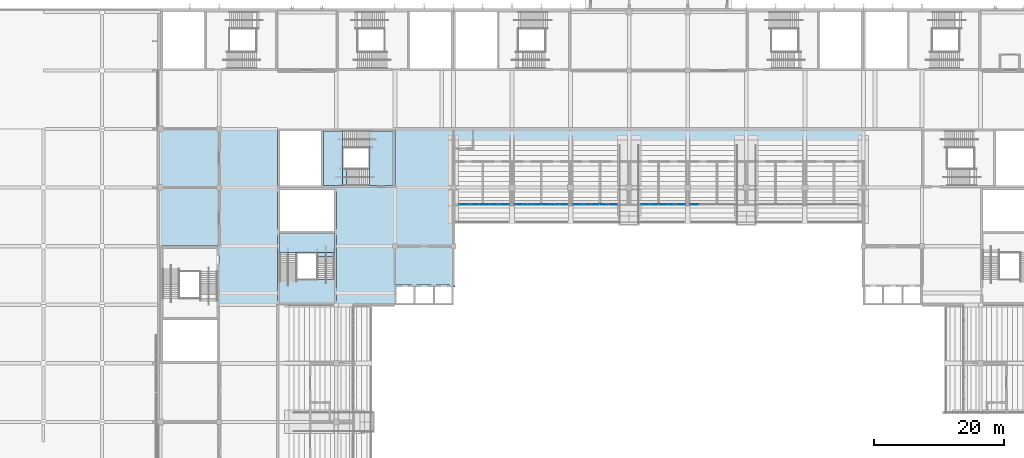
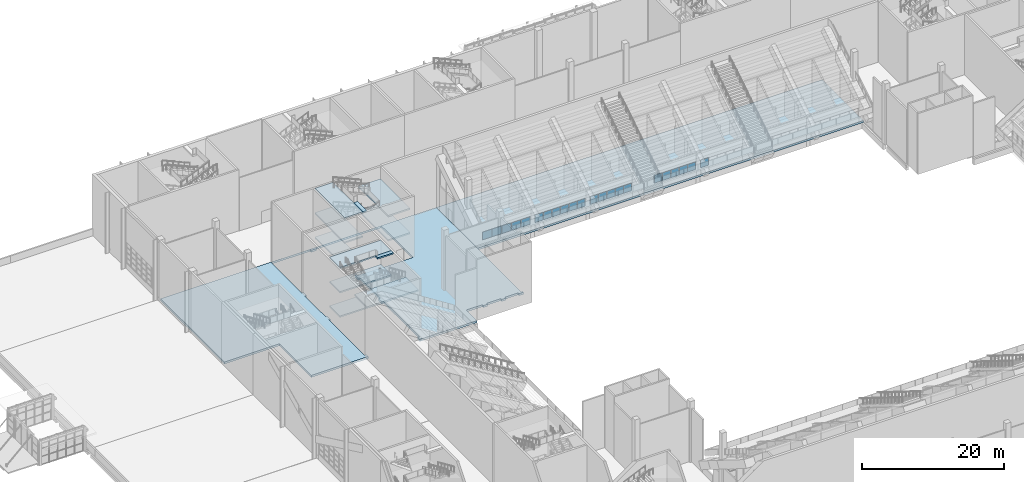
# One storey, part 71 of 182: 22 plates, 13 slabs, 7 elements without a shape of their own.
"""IFC4 building model written with IfcOpenShell, lengths in metres."""

from ifc_helpers import new_model, si_unit, direction, frame, origin, origin_2d, place, context, subcontext, project, spatial, polyline, rectangle, outline, extrude, material, layer, layer_set, type_object, element, aggregate, save


model = new_model("IFC4")

# Units and contexts
model_context = context("Model", 3, precision=1e-05, world=origin(), true_north=direction((0.0, 1.0)))
body_context = subcontext(model_context, "Body", "Model", "MODEL_VIEW")
ifc_project = project(units=[si_unit("LENGTHUNIT", "METRE"), si_unit("AREAUNIT", "SQUARE_METRE"), si_unit("VOLUMEUNIT", "CUBIC_METRE"), si_unit("PLANEANGLEUNIT", "RADIAN"), si_unit("MASSUNIT", "GRAM", prefix="KILO")], contexts=[model_context])

# Site, building, storey
site_placement = place(None, origin())
site = spatial("IfcSite", under=ifc_project, at=site_placement, CompositionType="ELEMENT")
building_placement = place(site_placement, origin())
building = spatial("IfcBuilding", under=site, at=building_placement, Name="Silverbay Arena", CompositionType="ELEMENT")
storey_placement = place(building_placement, frame((0.0, 0.0, 11.5)))
storey = spatial("IfcBuildingStorey", under=building, at=storey_placement, Name="L02", CompositionType="ELEMENT", Elevation=11.5)

# Curtain wall, plates
ifc_material_1 = material(Name="Fire-resisting glass", Category="glass")
curtain_wall_type_1 = type_object("IfcCurtainWallType", Name="Fire-resisting glazed screen EI 120 7850 x 1437", PredefinedType="NOTDEFINED", material=ifc_material_1)
curtain_wall_1_placement = place(storey_placement, origin())
curtain_wall_1 = element("IfcCurtainWall", 1, at=curtain_wall_1_placement, inside=storey, type_object=curtain_wall_type_1, Name="North suite front 1", PredefinedType="NOTDEFINED")
ifc_material_2 = material(Name="Laminated glass", Category="glass")
ifc_layer_1 = layer(ifc_material_2, 0.02392578125)
ifc_layer_set_1 = layer_set([ifc_layer_1], Name="Laminated glass")
plate_type = type_object("IfcPlateType", Name="Glass panel 24", PredefinedType="CURTAIN_PANEL", material=ifc_layer_set_1)
plate_1_placement = place(storey_placement, frame((100.60009765625, 114.39990234375, 1.150146484375), z_axis=(0.0, 0.0, 1.0), x_axis=(1.0, 0.0, 0.0)))
plate_1 = element("IfcPlate", 2, at=plate_1_placement, type_object=plate_type, Name="CW17 panel 1.1", PredefinedType="CURTAIN_PANEL", context=body_context, shape_type="SweptSolid", body=[
    extrude(rectangle(XDim=1.47998046875, YDim=0.02392578125, at=origin_2d()), origin(), (0.0, 0.0, 1.0), 1.3369140625),
])
plate_2_placement = place(storey_placement, frame((102.155029296875, 114.39990234375, 1.150146484375), z_axis=(0.0, 0.0, 1.0), x_axis=(1.0, 0.0, 0.0)))
plate_2 = element("IfcPlate", 3, at=plate_2_placement, type_object=plate_type, Name="CW17 panel 2.1", PredefinedType="CURTAIN_PANEL", context=body_context, shape_type="SweptSolid", body=[
    extrude(rectangle(XDim=1.510009765625, YDim=0.02392578125, at=origin_2d()), origin(), (0.0, 0.0, 1.0), 1.3369140625),
])
plate_3_placement = place(storey_placement, frame((103.72509765625, 114.39990234375, 1.150146484375), z_axis=(0.0, 0.0, 1.0), x_axis=(1.0, 0.0, 0.0)))
plate_3 = element("IfcPlate", 4, at=plate_3_placement, type_object=plate_type, Name="CW17 panel 3.1", PredefinedType="CURTAIN_PANEL", context=body_context, shape_type="SweptSolid", body=[
    extrude(rectangle(XDim=1.510009765625, YDim=0.02392578125, at=origin_2d()), origin(), (0.0, 0.0, 1.0), 1.3369140625),
])
plate_4_placement = place(storey_placement, frame((105.294921875, 114.39990234375, 1.150146484375), z_axis=(0.0, 0.0, 1.0), x_axis=(1.0, 0.0, 0.0)))
plate_4 = element("IfcPlate", 5, at=plate_4_placement, type_object=plate_type, Name="CW17 panel 4.1", PredefinedType="CURTAIN_PANEL", context=body_context, shape_type="SweptSolid", body=[
    extrude(rectangle(XDim=1.510009765625, YDim=0.02392578125, at=origin_2d()), origin(), (0.0, 0.0, 1.0), 1.3369140625),
])
plate_5_placement = place(storey_placement, frame((106.85009765625, 114.39990234375, 1.150146484375), z_axis=(0.0, 0.0, 1.0), x_axis=(1.0, 0.0, 0.0)))
plate_5 = element("IfcPlate", 6, at=plate_5_placement, type_object=plate_type, Name="CW17 panel 5.1", PredefinedType="CURTAIN_PANEL", context=body_context, shape_type="SweptSolid", body=[
    extrude(rectangle(XDim=1.47998046875, YDim=0.02392578125, at=origin_2d()), origin(), (0.0, 0.0, 1.0), 1.3369140625),
])
aggregate(curtain_wall_1, [plate_1, plate_2, plate_3, plate_4, plate_5])

ifc_material_3 = material(Name="Fire-resisting glass", Category="glass")
curtain_wall_type_2 = type_object("IfcCurtainWallType", Name="Fire-resisting glazed screen EI 120 8300 x 1437", PredefinedType="NOTDEFINED", material=ifc_material_3)
curtain_wall_2_placement = place(storey_placement, origin())
curtain_wall_2 = element("IfcCurtainWall", 7, at=curtain_wall_2_placement, inside=storey, type_object=curtain_wall_type_2, Name="North suite front 2", PredefinedType="NOTDEFINED")
plate_6_placement = place(storey_placement, frame((109.056640625, 114.39990234375, 1.150146484375), z_axis=(0.0, 0.0, 1.0), x_axis=(1.0, 0.0, 0.0)))
plate_6 = element("IfcPlate", 8, at=plate_6_placement, type_object=plate_type, Name="CW18 panel 1.1", PredefinedType="CURTAIN_PANEL", context=body_context, shape_type="SweptSolid", body=[
    extrude(rectangle(XDim=1.293212890625, YDim=0.02392578125, at=origin_2d()), origin(), (0.0, 0.0, 1.0), 1.3369140625),
])
plate_7_placement = place(storey_placement, frame((110.425048828125, 114.39990234375, 1.150146484375), z_axis=(0.0, 0.0, 1.0), x_axis=(1.0, 0.0, 0.0)))
plate_7 = element("IfcPlate", 9, at=plate_7_placement, type_object=plate_type, Name="CW18 panel 2.1", PredefinedType="CURTAIN_PANEL", context=body_context, shape_type="SweptSolid", body=[
    extrude(rectangle(XDim=1.3232421875, YDim=0.02392578125, at=origin_2d()), origin(), (0.0, 0.0, 1.0), 1.3369140625),
])
plate_8_placement = place(storey_placement, frame((111.808349609375, 114.39990234375, 1.150146484375), z_axis=(0.0, 0.0, 1.0), x_axis=(1.0, 0.0, 0.0)))
plate_8 = element("IfcPlate", 10, at=plate_8_placement, type_object=plate_type, Name="CW18 panel 3.1", PredefinedType="CURTAIN_PANEL", context=body_context, shape_type="SweptSolid", body=[
    extrude(rectangle(XDim=1.3232421875, YDim=0.02392578125, at=origin_2d()), origin(), (0.0, 0.0, 1.0), 1.3369140625),
])
plate_9_placement = place(storey_placement, frame((113.191650390625, 114.39990234375, 1.150146484375), z_axis=(0.0, 0.0, 1.0), x_axis=(1.0, 0.0, 0.0)))
plate_9 = element("IfcPlate", 11, at=plate_9_placement, type_object=plate_type, Name="CW18 panel 4.1", PredefinedType="CURTAIN_PANEL", context=body_context, shape_type="SweptSolid", body=[
    extrude(rectangle(XDim=1.3232421875, YDim=0.02392578125, at=origin_2d()), origin(), (0.0, 0.0, 1.0), 1.3369140625),
])
plate_10_placement = place(storey_placement, frame((114.574951171875, 114.39990234375, 1.150146484375), z_axis=(0.0, 0.0, 1.0), x_axis=(1.0, 0.0, 0.0)))
plate_10 = element("IfcPlate", 12, at=plate_10_placement, type_object=plate_type, Name="CW18 panel 5.1", PredefinedType="CURTAIN_PANEL", context=body_context, shape_type="SweptSolid", body=[
    extrude(rectangle(XDim=1.3232421875, YDim=0.02392578125, at=origin_2d()), origin(), (0.0, 0.0, 1.0), 1.3369140625),
])
plate_11_placement = place(storey_placement, frame((115.943359375, 114.39990234375, 1.150146484375), z_axis=(0.0, 0.0, 1.0), x_axis=(1.0, 0.0, 0.0)))
plate_11 = element("IfcPlate", 13, at=plate_11_placement, type_object=plate_type, Name="CW18 panel 6.1", PredefinedType="CURTAIN_PANEL", context=body_context, shape_type="SweptSolid", body=[
    extrude(rectangle(XDim=1.293212890625, YDim=0.02392578125, at=origin_2d()), origin(), (0.0, 0.0, 1.0), 1.3369140625),
])
aggregate(curtain_wall_2, [plate_6, plate_7, plate_8, plate_9, plate_10, plate_11])

ifc_material_4 = material(Name="Fire-resisting glass", Category="glass")
curtain_wall_type_3 = type_object("IfcCurtainWallType", Name="Fire-resisting glazed screen EI 120 6850 x 1437", PredefinedType="NOTDEFINED", material=ifc_material_4)
curtain_wall_3_placement = place(storey_placement, origin())
curtain_wall_3 = element("IfcCurtainWall", 14, at=curtain_wall_3_placement, inside=storey, type_object=curtain_wall_type_3, Name="North suite front 3", PredefinedType="NOTDEFINED")
plate_12_placement = place(storey_placement, frame((118.050048828125, 114.39990234375, 1.150146484375), z_axis=(0.0, 0.0, 1.0), x_axis=(1.0, 0.0, 0.0)))
plate_12 = element("IfcPlate", 15, at=plate_12_placement, type_object=plate_type, Name="CW19 panel 1.1", PredefinedType="CURTAIN_PANEL", context=body_context, shape_type="SweptSolid", body=[
    extrude(rectangle(XDim=1.280029296875, YDim=0.02392578125, at=origin_2d()), origin(), (0.0, 0.0, 1.0), 1.3369140625),
])
plate_13_placement = place(storey_placement, frame((119.405029296875, 114.39990234375, 1.150146484375), z_axis=(0.0, 0.0, 1.0), x_axis=(1.0, 0.0, 0.0)))
plate_13 = element("IfcPlate", 16, at=plate_13_placement, type_object=plate_type, Name="CW19 panel 2.1", PredefinedType="CURTAIN_PANEL", context=body_context, shape_type="SweptSolid", body=[
    extrude(rectangle(XDim=1.31005859375, YDim=0.02392578125, at=origin_2d()), origin(), (0.0, 0.0, 1.0), 1.3369140625),
])
plate_14_placement = place(storey_placement, frame((120.77490234375, 114.39990234375, 1.150146484375), z_axis=(0.0, 0.0, 1.0), x_axis=(1.0, 0.0, 0.0)))
plate_14 = element("IfcPlate", 17, at=plate_14_placement, type_object=plate_type, Name="CW19 panel 3.1", PredefinedType="CURTAIN_PANEL", context=body_context, shape_type="SweptSolid", body=[
    extrude(rectangle(XDim=1.31005859375, YDim=0.02392578125, at=origin_2d()), origin(), (0.0, 0.0, 1.0), 1.3369140625),
])
plate_15_placement = place(storey_placement, frame((122.14501953125, 114.39990234375, 1.150146484375), z_axis=(0.0, 0.0, 1.0), x_axis=(1.0, 0.0, 0.0)))
plate_15 = element("IfcPlate", 18, at=plate_15_placement, type_object=plate_type, Name="CW19 panel 4.1", PredefinedType="CURTAIN_PANEL", context=body_context, shape_type="SweptSolid", body=[
    extrude(rectangle(XDim=1.31005859375, YDim=0.02392578125, at=origin_2d()), origin(), (0.0, 0.0, 1.0), 1.3369140625),
])
plate_16_placement = place(storey_placement, frame((123.5, 114.39990234375, 1.150146484375), z_axis=(0.0, 0.0, 1.0), x_axis=(1.0, 0.0, 0.0)))
plate_16 = element("IfcPlate", 19, at=plate_16_placement, type_object=plate_type, Name="CW19 panel 5.1", PredefinedType="CURTAIN_PANEL", context=body_context, shape_type="SweptSolid", body=[
    extrude(rectangle(XDim=1.280029296875, YDim=0.02392578125, at=origin_2d()), origin(), (0.0, 0.0, 1.0), 1.3369140625),
])
aggregate(curtain_wall_3, [plate_12, plate_13, plate_14, plate_15, plate_16])

curtain_wall_4_placement = place(storey_placement, origin())
curtain_wall_4 = element("IfcCurtainWall", 20, at=curtain_wall_4_placement, inside=storey, type_object=curtain_wall_type_3, Name="North suite front 4", PredefinedType="NOTDEFINED")
plate_17_placement = place(storey_placement, frame((128.5, 114.39990234375, 1.150146484375), z_axis=(0.0, 0.0, 1.0), x_axis=(1.0, 0.0, 0.0)))
plate_17 = element("IfcPlate", 21, at=plate_17_placement, type_object=plate_type, Name="CW19 panel 1.1", PredefinedType="CURTAIN_PANEL", context=body_context, shape_type="SweptSolid", body=[
    extrude(rectangle(XDim=1.280029296875, YDim=0.02392578125, at=origin_2d()), origin(), (0.0, 0.0, 1.0), 1.3369140625),
])
plate_18_placement = place(storey_placement, frame((129.85498046875, 114.39990234375, 1.150146484375), z_axis=(0.0, 0.0, 1.0), x_axis=(1.0, 0.0, 0.0)))
plate_18 = element("IfcPlate", 22, at=plate_18_placement, type_object=plate_type, Name="CW19 panel 2.1", PredefinedType="CURTAIN_PANEL", context=body_context, shape_type="SweptSolid", body=[
    extrude(rectangle(XDim=1.31005859375, YDim=0.02392578125, at=origin_2d()), origin(), (0.0, 0.0, 1.0), 1.3369140625),
])
plate_19_placement = place(storey_placement, frame((131.22509765625, 114.39990234375, 1.150146484375), z_axis=(0.0, 0.0, 1.0), x_axis=(1.0, 0.0, 0.0)))
plate_19 = element("IfcPlate", 23, at=plate_19_placement, type_object=plate_type, Name="CW19 panel 3.1", PredefinedType="CURTAIN_PANEL", context=body_context, shape_type="SweptSolid", body=[
    extrude(rectangle(XDim=1.31005859375, YDim=0.02392578125, at=origin_2d()), origin(), (0.0, 0.0, 1.0), 1.3369140625),
])
plate_20_placement = place(storey_placement, frame((132.594970703125, 114.39990234375, 1.150146484375), z_axis=(0.0, 0.0, 1.0), x_axis=(1.0, 0.0, 0.0)))
plate_20 = element("IfcPlate", 24, at=plate_20_placement, type_object=plate_type, Name="CW19 panel 4.1", PredefinedType="CURTAIN_PANEL", context=body_context, shape_type="SweptSolid", body=[
    extrude(rectangle(XDim=1.31005859375, YDim=0.02392578125, at=origin_2d()), origin(), (0.0, 0.0, 1.0), 1.3369140625),
])
plate_21_placement = place(storey_placement, frame((133.949951171875, 114.39990234375, 1.150146484375), z_axis=(0.0, 0.0, 1.0), x_axis=(1.0, 0.0, 0.0)))
plate_21 = element("IfcPlate", 25, at=plate_21_placement, type_object=plate_type, Name="CW19 panel 5.1", PredefinedType="CURTAIN_PANEL", context=body_context, shape_type="SweptSolid", body=[
    extrude(rectangle(XDim=1.280029296875, YDim=0.02392578125, at=origin_2d()), origin(), (0.0, 0.0, 1.0), 1.3369140625),
])
aggregate(curtain_wall_4, [plate_17, plate_18, plate_19, plate_20, plate_21])

# Curtain wall, plate
curtain_wall_5_placement = place(storey_placement, origin())
curtain_wall_5 = element("IfcCurtainWall", 26, at=curtain_wall_5_placement, inside=storey, type_object=curtain_wall_type_3, Name="North suite front 5", PredefinedType="NOTDEFINED")
plate_22_placement = place(storey_placement, frame((136.050048828125, 114.39990234375, 1.150146484375), z_axis=(0.0, 0.0, 1.0), x_axis=(1.0, 0.0, 0.0)))
plate_22 = element("IfcPlate", 27, at=plate_22_placement, type_object=plate_type, Name="CW19 panel 1.1", PredefinedType="CURTAIN_PANEL", context=body_context, shape_type="SweptSolid", body=[
    extrude(rectangle(XDim=1.280029296875, YDim=0.02392578125, at=origin_2d()), origin(), (0.0, 0.0, 1.0), 1.3369140625),
])
aggregate(curtain_wall_5, [plate_22])

# Slabs
ifc_material_5 = material(Name="Concrete Grade C45", Category="concrete")
ifc_layer_2 = layer(ifc_material_5, 0.35009765625)
ifc_layer_set_2 = layer_set([ifc_layer_2], Name="Concrete Grade C45")
slab_type_1 = type_object("IfcSlabType", Name="RC floor slab 350", PredefinedType="FLOOR", material=ifc_layer_set_2)
slab_1_placement = place(storey_placement, frame((0.0, 0.0, -0.35009765625)))
element("IfcSlab", 28, at=slab_1_placement, inside=storey, type_object=slab_type_1, Name="Floor slab L02 unit 9", PredefinedType="FLOOR", context=body_context, shape_type="SweptSolid", body=[
    extrude(outline(polyline([(72.300048828125, 99.0), (63.0, 99.0), (63.0, 108.0), (54.0, 108.0), (54.0, 126.02490234375), (99.0, 126.02490234375), (99.0, 102.0), (99.25, 102.0), (99.25, 101.75), (98.5, 101.75), (98.5, 102.0), (96.35009765625, 102.0), (96.35009765625, 101.75), (95.64990234375, 101.75), (95.64990234375, 102.0), (93.35009765625, 102.0), (93.35009765625, 101.75), (92.64990234375, 101.75), (92.64990234375, 102.0), (90.0, 102.0), (90.0, 99.0), (80.699951171875, 99.0), (80.699951171875, 99.60009765625), (81.0, 99.60009765625), (81.0, 109.699951171875), (80.699951171875, 109.699951171875), (80.699951171875, 110.60009765625), (81.0, 110.60009765625), (81.0, 116.39990234375), (80.699951171875, 116.39990234375), (80.699951171875, 117.300048828125), (81.0, 117.300048828125), (81.0, 117.0), (90.0, 117.0), (90.0, 126.0), (79.300048828125, 126.0), (79.300048828125, 125.699951171875), (78.39990234375, 125.699951171875), (78.39990234375, 126.0), (72.0, 126.0), (72.0, 117.300048828125), (72.300048828125, 117.300048828125), (72.300048828125, 116.39990234375), (72.0, 116.39990234375), (72.0, 110.60009765625), (72.300048828125, 110.60009765625), (72.300048828125, 109.699951171875), (72.0, 109.699951171875), (72.0, 99.60009765625), (72.300048828125, 99.60009765625), (72.300048828125, 99.0)])), origin(), (0.0, 0.0, 1.0), 0.35009765625),
])
slab_2_placement = place(storey_placement, frame((0.0, 0.0, -0.35009765625)))
element("IfcSlab", 29, at=slab_2_placement, inside=storey, type_object=slab_type_1, Name="Floor slab L02 unit 10", PredefinedType="FLOOR", context=body_context, shape_type="SweptSolid", body=[
    extrude(outline(polyline([(162.0, 126.02490234375), (162.0, 114.39990234375), (99.0, 114.39990234375), (99.0, 126.02490234375), (162.0, 126.02490234375)])), origin(), (0.0, 0.0, 1.0), 0.35009765625),
])

# Stair, slab
ifc_material_6 = material(Name="Concrete Grade C45", Category="concrete")
stair_type = type_object("IfcStairType", Name="Stair 2600 wide 80 risers 131.2 x 300", PredefinedType="HALF_TURN_STAIR", material=ifc_material_6)
stair_1_placement = place(storey_placement, origin())
stair_1 = element("IfcStair", 30, at=stair_1_placement, inside=storey, type_object=stair_type, Name="Stair ST-NW1 L02 to L03", PredefinedType="HALF_TURN_STAIR")
ifc_material_7 = material(Name="Concrete Grade C45", Category="concrete")
ifc_layer_3 = layer(ifc_material_7, 0.25)
ifc_layer_set_3 = layer_set([ifc_layer_3], Name="Concrete Grade C45")
slab_type_2 = type_object("IfcSlabType", Name="Stair arrival platform RC 250", PredefinedType="FLOOR", material=ifc_layer_set_3)
slab_3_placement = place(storey_placement, frame((0.0, 0.0, 10.25)))
slab_3 = element("IfcSlab", 31, at=slab_3_placement, type_object=slab_type_2, Name="Stair ST-NW1 L02 to L03 arrival platform 6", PredefinedType="FLOOR", context=body_context, shape_type="SweptSolid", body=[
    extrude(outline(polyline([(82.60009765625, 117.300048828125), (81.97412109375, 117.300048828125), (81.97412109375, 119.89990234375), (82.60009765625, 119.89990234375), (82.60009765625, 117.300048828125)])), origin(), (0.0, 0.0, 1.0), 0.25),
])

stair_2_placement = place(storey_placement, origin())
stair_2 = element("IfcStair", 32, at=stair_2_placement, inside=storey, type_object=stair_type, Name="Stair ST-NW2 L02 to L03", PredefinedType="HALF_TURN_STAIR")
slab_4_placement = place(storey_placement, frame((0.0, 0.0, 10.25)))
slab_4 = element("IfcSlab", 33, at=slab_4_placement, type_object=slab_type_2, Name="Stair ST-NW2 L02 to L03 arrival platform 6", PredefinedType="FLOOR", context=body_context, shape_type="SweptSolid", body=[
    extrude(outline(polyline([(80.699951171875, 106.39990234375), (80.699951171875, 107.02587890625), (78.10009765625, 107.02587890625), (78.10009765625, 106.39990234375), (80.699951171875, 106.39990234375)])), origin(), (0.0, 0.0, 1.0), 0.25),
])

# Slab
ifc_material_8 = material(Name="Concrete Grade C45", Category="concrete")
ifc_layer_4 = layer(ifc_material_8, 0.25)
ifc_layer_set_4 = layer_set([ifc_layer_4], Name="Concrete Grade C45")
slab_type_3 = type_object("IfcSlabType", Name="Stair landing RC 250", PredefinedType="LANDING", material=ifc_layer_set_4)
slab_5_placement = place(storey_placement, frame((0.0, 0.0, 1.85009765625)))
slab_5 = element("IfcSlab", 34, at=slab_5_placement, type_object=slab_type_3, Name="Stair ST-NW1 L02 to L03 landing 1", PredefinedType="LANDING", context=body_context, shape_type="SweptSolid", body=[
    extrude(outline(polyline([(81.97412109375, 117.300048828125), (79.0, 117.300048828125), (79.0, 125.699951171875), (81.97412109375, 125.699951171875), (81.97412109375, 117.300048828125)])), origin(), (0.0, 0.0, 1.0), 0.25),
])

slab_6_placement = place(storey_placement, frame((0.0, 0.0, 3.949951171875)))
slab_6 = element("IfcSlab", 35, at=slab_6_placement, type_object=slab_type_3, Name="Stair ST-NW1 L02 to L03 landing 2", PredefinedType="LANDING", context=body_context, shape_type="SweptSolid", body=[
    extrude(outline(polyline([(89.699951171875, 117.300048828125), (86.10009765625, 117.300048828125), (86.10009765625, 125.699951171875), (89.699951171875, 125.699951171875), (89.699951171875, 117.300048828125)])), origin(), (0.0, 0.0, 1.0), 0.25),
])

slab_7_placement = place(storey_placement, frame((0.0, 0.0, 6.050048828125)))
slab_7 = element("IfcSlab", 36, at=slab_7_placement, type_object=slab_type_3, Name="Stair ST-NW1 L02 to L03 landing 3", PredefinedType="LANDING", context=body_context, shape_type="SweptSolid", body=[
    extrude(outline(polyline([(81.97412109375, 117.300048828125), (79.0, 117.300048828125), (79.0, 125.699951171875), (81.97412109375, 125.699951171875), (81.97412109375, 117.300048828125)])), origin(), (0.0, 0.0, 1.0), 0.25),
])

slab_8_placement = place(storey_placement, frame((0.0, 0.0, 8.14990234375)))
slab_8 = element("IfcSlab", 37, at=slab_8_placement, type_object=slab_type_3, Name="Stair ST-NW1 L02 to L03 landing 4", PredefinedType="LANDING", context=body_context, shape_type="SweptSolid", body=[
    extrude(outline(polyline([(89.699951171875, 117.300048828125), (86.10009765625, 117.300048828125), (86.10009765625, 125.699951171875), (89.699951171875, 125.699951171875), (89.699951171875, 117.300048828125)])), origin(), (0.0, 0.0, 1.0), 0.25),
])

slab_9_placement = place(storey_placement, frame((0.0, 0.0, 10.25)))
slab_9 = element("IfcSlab", 38, at=slab_9_placement, type_object=slab_type_3, Name="Stair ST-NW1 L02 to L03 landing 5", PredefinedType="LANDING", context=body_context, shape_type="SweptSolid", body=[
    extrude(outline(polyline([(81.97412109375, 117.300048828125), (79.0, 117.300048828125), (79.0, 125.699951171875), (81.97412109375, 125.699951171875), (81.97412109375, 117.300048828125)])), origin(), (0.0, 0.0, 1.0), 0.25),
])

aggregate(stair_1, [slab_5, slab_6, slab_7, slab_8, slab_9, slab_3])

slab_10_placement = place(storey_placement, frame((0.0, 0.0, 1.85009765625)))
slab_10 = element("IfcSlab", 39, at=slab_10_placement, type_object=slab_type_3, Name="Stair ST-NW2 L02 to L03 landing 1", PredefinedType="LANDING", context=body_context, shape_type="SweptSolid", body=[
    extrude(outline(polyline([(80.699951171875, 107.02587890625), (80.699951171875, 110.0), (72.300048828125, 110.0), (72.300048828125, 107.02587890625), (80.699951171875, 107.02587890625)])), origin(), (0.0, 0.0, 1.0), 0.25),
])

slab_11_placement = place(storey_placement, frame((0.0, 0.0, 6.050048828125)))
slab_11 = element("IfcSlab", 40, at=slab_11_placement, type_object=slab_type_3, Name="Stair ST-NW2 L02 to L03 landing 3", PredefinedType="LANDING", context=body_context, shape_type="SweptSolid", body=[
    extrude(outline(polyline([(80.699951171875, 107.02587890625), (80.699951171875, 110.0), (72.300048828125, 110.0), (72.300048828125, 107.02587890625), (80.699951171875, 107.02587890625)])), origin(), (0.0, 0.0, 1.0), 0.25),
])

slab_12_placement = place(storey_placement, frame((0.0, 0.0, 8.14990234375)))
slab_12 = element("IfcSlab", 41, at=slab_12_placement, type_object=slab_type_3, Name="Stair ST-NW2 L02 to L03 landing 4", PredefinedType="LANDING", context=body_context, shape_type="SweptSolid", body=[
    extrude(outline(polyline([(80.699951171875, 99.300048828125), (80.699951171875, 102.89990234375), (72.300048828125, 102.89990234375), (72.300048828125, 99.300048828125), (80.699951171875, 99.300048828125)])), origin(), (0.0, 0.0, 1.0), 0.25),
])

slab_13_placement = place(storey_placement, frame((0.0, 0.0, 10.25)))
slab_13 = element("IfcSlab", 42, at=slab_13_placement, type_object=slab_type_3, Name="Stair ST-NW2 L02 to L03 landing 5", PredefinedType="LANDING", context=body_context, shape_type="SweptSolid", body=[
    extrude(outline(polyline([(80.699951171875, 107.02587890625), (80.699951171875, 110.0), (72.300048828125, 110.0), (72.300048828125, 107.02587890625), (80.699951171875, 107.02587890625)])), origin(), (0.0, 0.0, 1.0), 0.25),
])

aggregate(stair_2, [slab_10, slab_11, slab_12, slab_13, slab_4])

save(model, "model.ifc")
